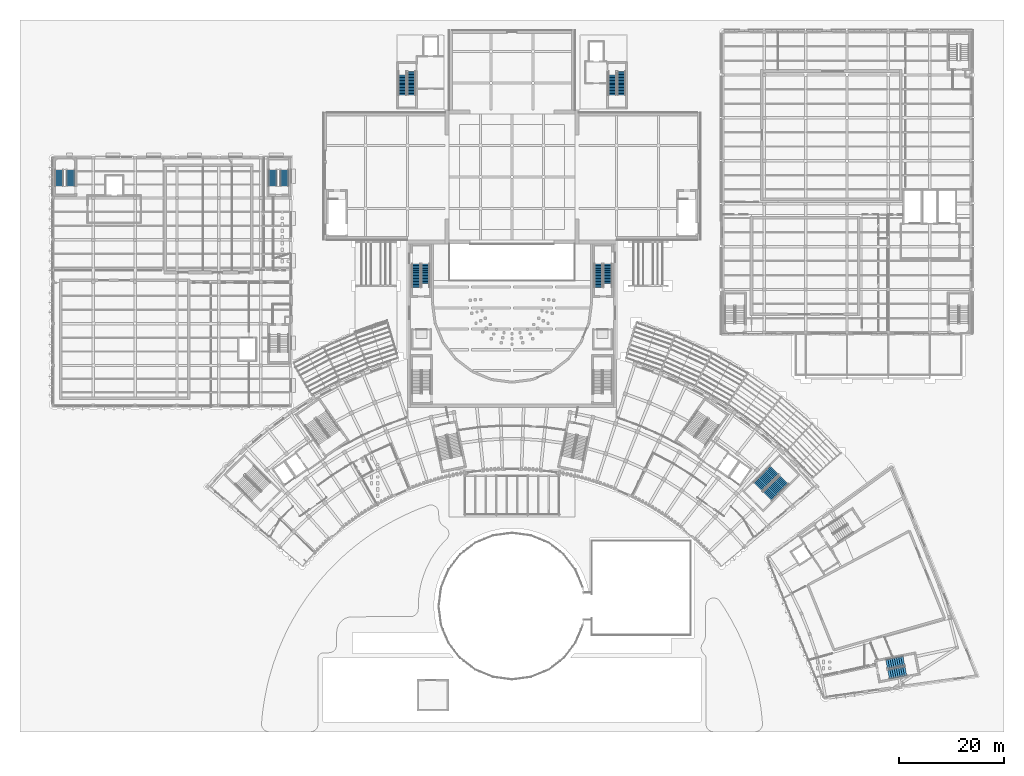
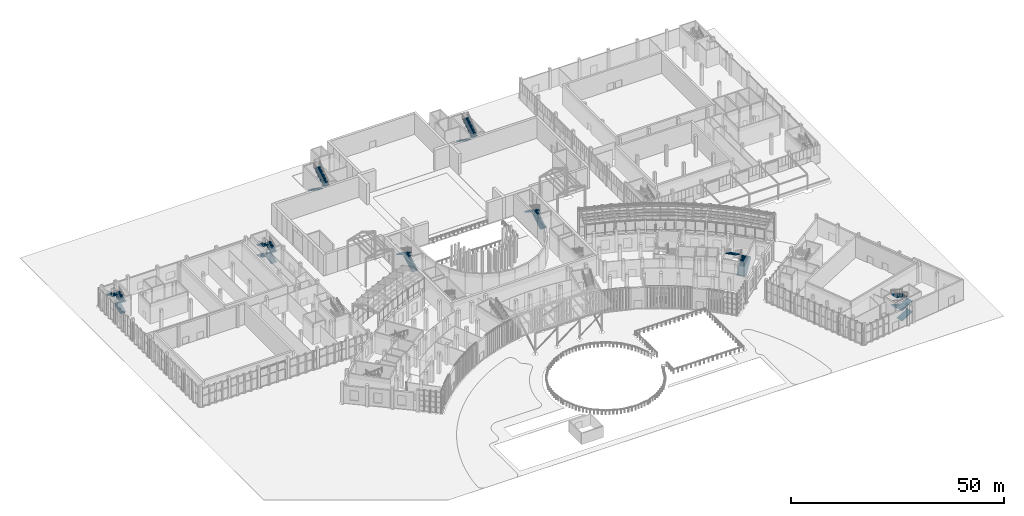
# One storey, part 106 of 155: 21 stair flights, 8 elements without a shape of their own.
"""IFC4 building model written with IfcOpenShell, lengths in metres."""

from ifc_helpers import new_model, si_unit, direction, frame, origin, place, context, subcontext, project, spatial, polyline, outline, extrude, material, type_object, element, aggregate, save


model = new_model("IFC4")

# Units and contexts
model_context = context("Model", 3, precision=1e-05, world=origin(), true_north=direction((0.0, 1.0)))
body_context = subcontext(model_context, "Body", "Model", "MODEL_VIEW")
ifc_project = project(units=[si_unit("LENGTHUNIT", "METRE"), si_unit("AREAUNIT", "SQUARE_METRE"), si_unit("VOLUMEUNIT", "CUBIC_METRE"), si_unit("PLANEANGLEUNIT", "RADIAN"), si_unit("MASSUNIT", "GRAM", prefix="KILO")], contexts=[model_context])

# Site, building, storey
site_placement = place(None, origin())
site = spatial("IfcSite", under=ifc_project, at=site_placement, CompositionType="ELEMENT")
building_placement = place(site_placement, origin())
building = spatial("IfcBuilding", under=site, at=building_placement, Name="Lunette Opera House", CompositionType="ELEMENT")
storey_placement = place(building_placement, origin())
storey = spatial("IfcBuildingStorey", under=building, at=storey_placement, Name="L00", CompositionType="ELEMENT", Elevation=0.0)

# Stair, stair flights
ifc_material_1 = material(Name="Concrete C35/45", Category="concrete")
stair_type_1 = type_object("IfcStairType", Name="DOGLEG STAIR 1550", PredefinedType="HALF_TURN_STAIR", material=ifc_material_1)
stair_1_placement = place(storey_placement, origin())
stair_1 = element("IfcStair", 1, at=stair_1_placement, inside=storey, type_object=stair_type_1, Name="L00 stair ST11", PredefinedType="HALF_TURN_STAIR")
ifc_material_2 = material(Name="Concrete C35/45", Category="concrete")
stair_flight_type_1 = type_object("IfcStairFlightType", Name="STRAIGHT STAIR FLIGHT 1550", PredefinedType="STRAIGHT", material=ifc_material_2)
stair_flight_1_placement = place(storey_placement, frame((75.074951171875, 128.14990234375, 0.0), z_axis=(0.0, 0.0, 1.0), x_axis=(0.0, -1.0, 0.0)))
stair_flight_1 = element("IfcStairFlight", 2, at=stair_flight_1_placement, type_object=stair_flight_type_1, Name="ST11 flight 1", NumberOfRisers=17, NumberOfTreads=16, PredefinedType="STRAIGHT", RiserHeight=0.176470588, TreadLength=0.28, context=body_context, shape_type="SweptSolid", body=[
    extrude(outline(polyline([(0.0, 0.0), (0.0, 0.176513671875), (0.280029296875, 0.176513671875), (0.280029296875, 0.35302734375), (0.56005859375, 0.35302734375), (0.56005859375, 0.529296875), (0.840087890625, 0.529296875), (0.840087890625, 0.705810546875), (1.1201171875, 0.705810546875), (1.1201171875, 0.88232421875), (1.39990234375, 0.88232421875), (1.39990234375, 1.058837890625), (1.679931640625, 1.058837890625), (1.679931640625, 1.2353515625), (1.9599609375, 1.2353515625), (1.9599609375, 1.411865234375), (2.239990234375, 1.411865234375), (2.239990234375, 1.588134765625), (2.52001953125, 1.588134765625), (2.52001953125, 1.7646484375), (2.800048828125, 1.7646484375), (2.800048828125, 1.941162109375), (3.080078125, 1.941162109375), (3.080078125, 2.11767578125), (3.360107421875, 2.11767578125), (3.360107421875, 2.294189453125), (3.639892578125, 2.294189453125), (3.639892578125, 2.470703125), (3.919921875, 2.470703125), (3.919921875, 2.64697265625), (4.199951171875, 2.64697265625), (4.199951171875, 2.823486328125), (4.47998046875, 2.823486328125), (4.47998046875, 3.0), (4.47998046875, 2.646240234375), (0.28125, 0.0), (0.0, 0.0)])), frame((0.0, 0.77490234375, 0.0), z_axis=(0.0, -1.0, 0.0), x_axis=(1.0, 0.0, 0.0)), (0.0, 0.0, 1.0), 1.550048828125),
])
stair_flight_2_placement = place(storey_placement, frame((76.824951171875, 123.669921875, 3.0), z_axis=(0.0, 0.0, 1.0), x_axis=(0.0, 1.0, 0.0)))
stair_flight_2 = element("IfcStairFlight", 3, at=stair_flight_2_placement, type_object=stair_flight_type_1, Name="ST11 flight 2", NumberOfRisers=17, NumberOfTreads=16, PredefinedType="STRAIGHT", RiserHeight=0.176470588, TreadLength=0.28, context=body_context, shape_type="SweptSolid", body=[
    extrude(outline(polyline([(0.0, 0.0), (0.0, 0.176513671875), (0.280029296875, 0.176513671875), (0.280029296875, 0.35302734375), (0.56005859375, 0.35302734375), (0.56005859375, 0.529296875), (0.840087890625, 0.529296875), (0.840087890625, 0.705810546875), (1.1201171875, 0.705810546875), (1.1201171875, 0.88232421875), (1.39990234375, 0.88232421875), (1.39990234375, 1.058837890625), (1.679931640625, 1.058837890625), (1.679931640625, 1.2353515625), (1.9599609375, 1.2353515625), (1.9599609375, 1.411865234375), (2.239990234375, 1.411865234375), (2.239990234375, 1.588134765625), (2.52001953125, 1.588134765625), (2.52001953125, 1.7646484375), (2.800048828125, 1.7646484375), (2.800048828125, 1.941162109375), (3.080078125, 1.941162109375), (3.080078125, 2.11767578125), (3.360107421875, 2.11767578125), (3.360107421875, 2.294189453125), (3.639892578125, 2.294189453125), (3.639892578125, 2.470703125), (3.919921875, 2.470703125), (3.919921875, 2.64697265625), (4.199951171875, 2.64697265625), (4.199951171875, 2.823486328125), (4.47998046875, 2.823486328125), (4.47998046875, 3.0), (4.47998046875, 2.646240234375), (0.28125, 0.0), (0.0, 0.0)])), frame((0.0, 0.77490234375, 0.0), z_axis=(0.0, -1.0, 0.0), x_axis=(1.0, 0.0, 0.0)), (0.0, 0.0, 1.0), 1.550048828125),
])
aggregate(stair_1, [stair_flight_1, stair_flight_2])

stair_2_placement = place(storey_placement, origin())
stair_2 = element("IfcStair", 4, at=stair_2_placement, inside=storey, type_object=stair_type_1, Name="L00 stair ST12", PredefinedType="HALF_TURN_STAIR")
stair_flight_3_placement = place(storey_placement, frame((115.175048828125, 128.14990234375, 0.0), z_axis=(0.0, 0.0, 1.0), x_axis=(0.0, -1.0, 0.0)))
stair_flight_3 = element("IfcStairFlight", 5, at=stair_flight_3_placement, type_object=stair_flight_type_1, Name="ST12 flight 1", NumberOfRisers=17, NumberOfTreads=16, PredefinedType="STRAIGHT", RiserHeight=0.176470588, TreadLength=0.28, context=body_context, shape_type="SweptSolid", body=[
    extrude(outline(polyline([(0.0, 0.0), (0.0, 0.176513671875), (0.280029296875, 0.176513671875), (0.280029296875, 0.35302734375), (0.56005859375, 0.35302734375), (0.56005859375, 0.529296875), (0.840087890625, 0.529296875), (0.840087890625, 0.705810546875), (1.1201171875, 0.705810546875), (1.1201171875, 0.88232421875), (1.39990234375, 0.88232421875), (1.39990234375, 1.058837890625), (1.679931640625, 1.058837890625), (1.679931640625, 1.2353515625), (1.9599609375, 1.2353515625), (1.9599609375, 1.411865234375), (2.239990234375, 1.411865234375), (2.239990234375, 1.588134765625), (2.52001953125, 1.588134765625), (2.52001953125, 1.7646484375), (2.800048828125, 1.7646484375), (2.800048828125, 1.941162109375), (3.080078125, 1.941162109375), (3.080078125, 2.11767578125), (3.360107421875, 2.11767578125), (3.360107421875, 2.294189453125), (3.639892578125, 2.294189453125), (3.639892578125, 2.470703125), (3.919921875, 2.470703125), (3.919921875, 2.64697265625), (4.199951171875, 2.64697265625), (4.199951171875, 2.823486328125), (4.47998046875, 2.823486328125), (4.47998046875, 3.0), (4.47998046875, 2.646240234375), (0.28125, 0.0), (0.0, 0.0)])), frame((0.0, 0.77490234375, 0.0), z_axis=(0.0, -1.0, 0.0), x_axis=(1.0, 0.0, 0.0)), (0.0, 0.0, 1.0), 1.550048828125),
])
stair_flight_4_placement = place(storey_placement, frame((116.925048828125, 123.669921875, 3.0), z_axis=(0.0, 0.0, 1.0), x_axis=(0.0, 1.0, 0.0)))
stair_flight_4 = element("IfcStairFlight", 6, at=stair_flight_4_placement, type_object=stair_flight_type_1, Name="ST12 flight 2", NumberOfRisers=17, NumberOfTreads=16, PredefinedType="STRAIGHT", RiserHeight=0.176470588, TreadLength=0.28, context=body_context, shape_type="SweptSolid", body=[
    extrude(outline(polyline([(0.0, 0.0), (0.0, 0.176513671875), (0.280029296875, 0.176513671875), (0.280029296875, 0.35302734375), (0.56005859375, 0.35302734375), (0.56005859375, 0.529296875), (0.840087890625, 0.529296875), (0.840087890625, 0.705810546875), (1.1201171875, 0.705810546875), (1.1201171875, 0.88232421875), (1.39990234375, 0.88232421875), (1.39990234375, 1.058837890625), (1.679931640625, 1.058837890625), (1.679931640625, 1.2353515625), (1.9599609375, 1.2353515625), (1.9599609375, 1.411865234375), (2.239990234375, 1.411865234375), (2.239990234375, 1.588134765625), (2.52001953125, 1.588134765625), (2.52001953125, 1.7646484375), (2.800048828125, 1.7646484375), (2.800048828125, 1.941162109375), (3.080078125, 1.941162109375), (3.080078125, 2.11767578125), (3.360107421875, 2.11767578125), (3.360107421875, 2.294189453125), (3.639892578125, 2.294189453125), (3.639892578125, 2.470703125), (3.919921875, 2.470703125), (3.919921875, 2.64697265625), (4.199951171875, 2.64697265625), (4.199951171875, 2.823486328125), (4.47998046875, 2.823486328125), (4.47998046875, 3.0), (4.47998046875, 2.646240234375), (0.28125, 0.0), (0.0, 0.0)])), frame((0.0, 0.77490234375, 0.0), z_axis=(0.0, -1.0, 0.0), x_axis=(1.0, 0.0, 0.0)), (0.0, 0.0, 1.0), 1.550048828125),
])
aggregate(stair_2, [stair_flight_3, stair_flight_4])

ifc_material_3 = material(Name="Concrete C35/45", Category="concrete")
stair_type_2 = type_object("IfcStairType", Name="DOGLEG STAIR 1600", PredefinedType="HALF_TURN_STAIR", material=ifc_material_3)
stair_3_placement = place(storey_placement, origin())
stair_3 = element("IfcStair", 7, at=stair_3_placement, inside=storey, type_object=stair_type_2, Name="L00 stair ST15", PredefinedType="HALF_TURN_STAIR")
ifc_material_4 = material(Name="Concrete C35/45", Category="concrete")
stair_flight_type_2 = type_object("IfcStairFlightType", Name="STRAIGHT STAIR FLIGHT 1600", PredefinedType="STRAIGHT", material=ifc_material_4)
stair_flight_5_placement = place(storey_placement, frame((11.699951171875, 106.300048828125, 0.0), z_axis=(0.0, 0.0, 1.0), x_axis=(0.0, 1.0, 0.0)))
stair_flight_5 = element("IfcStairFlight", 8, at=stair_flight_5_placement, type_object=stair_flight_type_2, Name="ST15 flight 1", NumberOfRisers=9, NumberOfTreads=8, PredefinedType="STRAIGHT", RiserHeight=0.166666667, TreadLength=0.38, context=body_context, shape_type="SweptSolid", body=[
    extrude(outline(polyline([(0.0, 0.0), (0.0, 0.166748046875), (0.3798828125, 0.166748046875), (0.3798828125, 0.333251953125), (0.760009765625, 0.333251953125), (0.760009765625, 0.5), (1.139892578125, 0.5), (1.139892578125, 0.666748046875), (1.52001953125, 0.666748046875), (1.52001953125, 0.833251953125), (1.89990234375, 0.833251953125), (1.89990234375, 1.0), (2.280029296875, 1.0), (2.280029296875, 1.166748046875), (2.659912109375, 1.166748046875), (2.659912109375, 1.333251953125), (3.0400390625, 1.333251953125), (3.0400390625, 1.5), (3.0400390625, 1.169677734375), (0.373291015625, 0.0), (0.0, 0.0)])), frame((0.0, 0.800048828125, 0.0), z_axis=(0.0, -1.0, 0.0), x_axis=(1.0, 0.0, 0.0)), (0.0, 0.0, 1.0), 1.60009765625),
])
stair_flight_6_placement = place(storey_placement, frame((11.699951171875, 106.300048828125, 3.0), z_axis=(0.0, 0.0, 1.0), x_axis=(0.0, 1.0, 0.0)))
stair_flight_6 = element("IfcStairFlight", 9, at=stair_flight_6_placement, type_object=stair_flight_type_2, Name="ST15 flight 3", NumberOfRisers=9, NumberOfTreads=8, PredefinedType="STRAIGHT", RiserHeight=0.166666667, TreadLength=0.38, context=body_context, shape_type="SweptSolid", body=[
    extrude(outline(polyline([(0.0, 0.0), (0.0, 0.166748046875), (0.3798828125, 0.166748046875), (0.3798828125, 0.333251953125), (0.760009765625, 0.333251953125), (0.760009765625, 0.5), (1.139892578125, 0.5), (1.139892578125, 0.666748046875), (1.52001953125, 0.666748046875), (1.52001953125, 0.833251953125), (1.89990234375, 0.833251953125), (1.89990234375, 1.0), (2.280029296875, 1.0), (2.280029296875, 1.166748046875), (2.659912109375, 1.166748046875), (2.659912109375, 1.333251953125), (3.0400390625, 1.333251953125), (3.0400390625, 1.5), (3.0400390625, 1.169677734375), (0.373291015625, 0.0), (0.0, 0.0)])), frame((0.0, 0.800048828125, 0.0), z_axis=(0.0, -1.0, 0.0), x_axis=(1.0, 0.0, 0.0)), (0.0, 0.0, 1.0), 1.60009765625),
])
stair_flight_7_placement = place(storey_placement, frame((9.5, 109.340087890625, 4.5), z_axis=(0.0, 0.0, 1.0), x_axis=(0.0, -1.0, 0.0)))
stair_flight_7 = element("IfcStairFlight", 10, at=stair_flight_7_placement, type_object=stair_flight_type_2, Name="ST15 flight 4", NumberOfRisers=9, NumberOfTreads=8, PredefinedType="STRAIGHT", RiserHeight=0.166666667, TreadLength=0.38, context=body_context, shape_type="SweptSolid", body=[
    extrude(outline(polyline([(0.0, 0.0), (0.0, 0.166748046875), (0.3798828125, 0.166748046875), (0.3798828125, 0.333251953125), (0.760009765625, 0.333251953125), (0.760009765625, 0.5), (1.139892578125, 0.5), (1.139892578125, 0.666748046875), (1.52001953125, 0.666748046875), (1.52001953125, 0.833251953125), (1.89990234375, 0.833251953125), (1.89990234375, 1.0), (2.280029296875, 1.0), (2.280029296875, 1.166748046875), (2.659912109375, 1.166748046875), (2.659912109375, 1.333251953125), (3.0400390625, 1.333251953125), (3.0400390625, 1.5), (3.0400390625, 1.169677734375), (0.373291015625, 0.0), (0.0, 0.0)])), frame((0.0, 0.800048828125, 0.0), z_axis=(0.0, -1.0, 0.0), x_axis=(1.0, 0.0, 0.0)), (0.0, 0.0, 1.0), 1.60009765625),
])
aggregate(stair_3, [stair_flight_5, stair_flight_6, stair_flight_7])

stair_4_placement = place(storey_placement, origin())
stair_4 = element("IfcStair", 11, at=stair_4_placement, inside=storey, type_object=stair_type_2, Name="L00 stair ST17", PredefinedType="HALF_TURN_STAIR")
stair_flight_8_placement = place(storey_placement, frame((52.534912109375, 106.300048828125, 0.0), z_axis=(0.0, 0.0, 1.0), x_axis=(0.0, 1.0, 0.0)))
stair_flight_8 = element("IfcStairFlight", 12, at=stair_flight_8_placement, type_object=stair_flight_type_2, Name="ST17 flight 1", NumberOfRisers=9, NumberOfTreads=8, PredefinedType="STRAIGHT", RiserHeight=0.166666667, TreadLength=0.38, context=body_context, shape_type="SweptSolid", body=[
    extrude(outline(polyline([(0.0, 0.0), (0.0, 0.166748046875), (0.3798828125, 0.166748046875), (0.3798828125, 0.333251953125), (0.760009765625, 0.333251953125), (0.760009765625, 0.5), (1.139892578125, 0.5), (1.139892578125, 0.666748046875), (1.52001953125, 0.666748046875), (1.52001953125, 0.833251953125), (1.89990234375, 0.833251953125), (1.89990234375, 1.0), (2.280029296875, 1.0), (2.280029296875, 1.166748046875), (2.659912109375, 1.166748046875), (2.659912109375, 1.333251953125), (3.0400390625, 1.333251953125), (3.0400390625, 1.5), (3.0400390625, 1.169677734375), (0.373291015625, 0.0), (0.0, 0.0)])), frame((0.0, 0.800048828125, 0.0), z_axis=(0.0, -1.0, 0.0), x_axis=(1.0, 0.0, 0.0)), (0.0, 0.0, 1.0), 1.60009765625),
])
stair_flight_9_placement = place(storey_placement, frame((50.300048828125, 109.340087890625, 1.5), z_axis=(0.0, 0.0, 1.0), x_axis=(0.0, -1.0, 0.0)))
stair_flight_9 = element("IfcStairFlight", 13, at=stair_flight_9_placement, type_object=stair_flight_type_2, Name="ST17 flight 2", NumberOfRisers=9, NumberOfTreads=8, PredefinedType="STRAIGHT", RiserHeight=0.166666667, TreadLength=0.38, context=body_context, shape_type="SweptSolid", body=[
    extrude(outline(polyline([(0.0, 0.0), (0.0, 0.166748046875), (0.3798828125, 0.166748046875), (0.3798828125, 0.333251953125), (0.760009765625, 0.333251953125), (0.760009765625, 0.5), (1.139892578125, 0.5), (1.139892578125, 0.666748046875), (1.52001953125, 0.666748046875), (1.52001953125, 0.833251953125), (1.89990234375, 0.833251953125), (1.89990234375, 1.0), (2.280029296875, 1.0), (2.280029296875, 1.166748046875), (2.659912109375, 1.166748046875), (2.659912109375, 1.333251953125), (3.0400390625, 1.333251953125), (3.0400390625, 1.5), (3.0400390625, 1.169677734375), (0.373291015625, 0.0), (0.0, 0.0)])), frame((0.0, 0.800048828125, 0.0), z_axis=(0.0, -1.0, 0.0), x_axis=(1.0, 0.0, 0.0)), (0.0, 0.0, 1.0), 1.60009765625),
])
stair_flight_10_placement = place(storey_placement, frame((52.534912109375, 106.300048828125, 3.0), z_axis=(0.0, 0.0, 1.0), x_axis=(0.0, 1.0, 0.0)))
stair_flight_10 = element("IfcStairFlight", 14, at=stair_flight_10_placement, type_object=stair_flight_type_2, Name="ST17 flight 3", NumberOfRisers=9, NumberOfTreads=8, PredefinedType="STRAIGHT", RiserHeight=0.166666667, TreadLength=0.38, context=body_context, shape_type="SweptSolid", body=[
    extrude(outline(polyline([(0.0, 0.0), (0.0, 0.166748046875), (0.3798828125, 0.166748046875), (0.3798828125, 0.333251953125), (0.760009765625, 0.333251953125), (0.760009765625, 0.5), (1.139892578125, 0.5), (1.139892578125, 0.666748046875), (1.52001953125, 0.666748046875), (1.52001953125, 0.833251953125), (1.89990234375, 0.833251953125), (1.89990234375, 1.0), (2.280029296875, 1.0), (2.280029296875, 1.166748046875), (2.659912109375, 1.166748046875), (2.659912109375, 1.333251953125), (3.0400390625, 1.333251953125), (3.0400390625, 1.5), (3.0400390625, 1.169677734375), (0.373291015625, 0.0), (0.0, 0.0)])), frame((0.0, 0.800048828125, 0.0), z_axis=(0.0, -1.0, 0.0), x_axis=(1.0, 0.0, 0.0)), (0.0, 0.0, 1.0), 1.60009765625),
])
stair_flight_11_placement = place(storey_placement, frame((50.300048828125, 109.340087890625, 4.5), z_axis=(0.0, 0.0, 1.0), x_axis=(0.0, -1.0, 0.0)))
stair_flight_11 = element("IfcStairFlight", 15, at=stair_flight_11_placement, type_object=stair_flight_type_2, Name="ST17 flight 4", NumberOfRisers=9, NumberOfTreads=8, PredefinedType="STRAIGHT", RiserHeight=0.166666667, TreadLength=0.38, context=body_context, shape_type="SweptSolid", body=[
    extrude(outline(polyline([(0.0, 0.0), (0.0, 0.166748046875), (0.3798828125, 0.166748046875), (0.3798828125, 0.333251953125), (0.760009765625, 0.333251953125), (0.760009765625, 0.5), (1.139892578125, 0.5), (1.139892578125, 0.666748046875), (1.52001953125, 0.666748046875), (1.52001953125, 0.833251953125), (1.89990234375, 0.833251953125), (1.89990234375, 1.0), (2.280029296875, 1.0), (2.280029296875, 1.166748046875), (2.659912109375, 1.166748046875), (2.659912109375, 1.333251953125), (3.0400390625, 1.333251953125), (3.0400390625, 1.5), (3.0400390625, 1.169677734375), (0.373291015625, 0.0), (0.0, 0.0)])), frame((0.0, 0.800048828125, 0.0), z_axis=(0.0, -1.0, 0.0), x_axis=(1.0, 0.0, 0.0)), (0.0, 0.0, 1.0), 1.60009765625),
])
aggregate(stair_4, [stair_flight_8, stair_flight_9, stair_flight_10, stair_flight_11])

ifc_material_5 = material(Name="Concrete C35/45", Category="concrete")
stair_type_3 = type_object("IfcStairType", Name="DOGLEG STAIR 1620", PredefinedType="HALF_TURN_STAIR", material=ifc_material_5)
stair_5_placement = place(storey_placement, origin())
stair_5 = element("IfcStair", 16, at=stair_5_placement, inside=storey, type_object=stair_type_3, Name="L00 stair ST10", PredefinedType="HALF_TURN_STAIR")
ifc_material_6 = material(Name="Concrete C35/45", Category="concrete")
stair_flight_type_3 = type_object("IfcStairFlightType", Name="STRAIGHT STAIR FLIGHT 1620", PredefinedType="STRAIGHT", material=ifc_material_6)
stair_flight_12_placement = place(storey_placement, frame((79.489990234375, 86.919921875, 0.0), z_axis=(0.0, 0.0, 1.0), x_axis=(0.0, 1.0, 0.0)))
stair_flight_12 = element("IfcStairFlight", 17, at=stair_flight_12_placement, type_object=stair_flight_type_3, Name="ST10 flight 1", NumberOfRisers=17, NumberOfTreads=16, PredefinedType="STRAIGHT", RiserHeight=0.176470588, TreadLength=0.28, context=body_context, shape_type="SweptSolid", body=[
    extrude(outline(polyline([(0.0, 0.0), (0.0, 0.176513671875), (0.280029296875, 0.176513671875), (0.280029296875, 0.35302734375), (0.56005859375, 0.35302734375), (0.56005859375, 0.529296875), (0.840087890625, 0.529296875), (0.840087890625, 0.705810546875), (1.1201171875, 0.705810546875), (1.1201171875, 0.88232421875), (1.39990234375, 0.88232421875), (1.39990234375, 1.058837890625), (1.679931640625, 1.058837890625), (1.679931640625, 1.2353515625), (1.9599609375, 1.2353515625), (1.9599609375, 1.411865234375), (2.239990234375, 1.411865234375), (2.239990234375, 1.588134765625), (2.52001953125, 1.588134765625), (2.52001953125, 1.7646484375), (2.800048828125, 1.7646484375), (2.800048828125, 1.941162109375), (3.080078125, 1.941162109375), (3.080078125, 2.11767578125), (3.360107421875, 2.11767578125), (3.360107421875, 2.294189453125), (3.639892578125, 2.294189453125), (3.639892578125, 2.470703125), (3.919921875, 2.470703125), (3.919921875, 2.64697265625), (4.199951171875, 2.64697265625), (4.199951171875, 2.823486328125), (4.47998046875, 2.823486328125), (4.47998046875, 3.0), (4.47998046875, 2.646240234375), (0.28125, 0.0), (0.0, 0.0)])), frame((0.0, 0.81005859375, 0.0), z_axis=(0.0, -1.0, 0.0), x_axis=(1.0, 0.0, 0.0)), (0.0, 0.0, 1.0), 1.6201171875),
])
stair_flight_13_placement = place(storey_placement, frame((77.7099609375, 91.39990234375, 3.0), z_axis=(0.0, 0.0, 1.0), x_axis=(0.0, -1.0, 0.0)))
stair_flight_13 = element("IfcStairFlight", 18, at=stair_flight_13_placement, type_object=stair_flight_type_3, Name="ST10 flight 2", NumberOfRisers=17, NumberOfTreads=16, PredefinedType="STRAIGHT", RiserHeight=0.176470588, TreadLength=0.28, context=body_context, shape_type="SweptSolid", body=[
    extrude(outline(polyline([(0.0, 0.0), (0.0, 0.176513671875), (0.280029296875, 0.176513671875), (0.280029296875, 0.35302734375), (0.56005859375, 0.35302734375), (0.56005859375, 0.529296875), (0.840087890625, 0.529296875), (0.840087890625, 0.705810546875), (1.1201171875, 0.705810546875), (1.1201171875, 0.88232421875), (1.39990234375, 0.88232421875), (1.39990234375, 1.058837890625), (1.679931640625, 1.058837890625), (1.679931640625, 1.2353515625), (1.9599609375, 1.2353515625), (1.9599609375, 1.411865234375), (2.239990234375, 1.411865234375), (2.239990234375, 1.588134765625), (2.52001953125, 1.588134765625), (2.52001953125, 1.7646484375), (2.800048828125, 1.7646484375), (2.800048828125, 1.941162109375), (3.080078125, 1.941162109375), (3.080078125, 2.11767578125), (3.360107421875, 2.11767578125), (3.360107421875, 2.294189453125), (3.639892578125, 2.294189453125), (3.639892578125, 2.470703125), (3.919921875, 2.470703125), (3.919921875, 2.64697265625), (4.199951171875, 2.64697265625), (4.199951171875, 2.823486328125), (4.47998046875, 2.823486328125), (4.47998046875, 3.0), (4.47998046875, 2.646240234375), (0.28125, 0.0), (0.0, 0.0)])), frame((0.0, 0.81005859375, 0.0), z_axis=(0.0, -1.0, 0.0), x_axis=(1.0, 0.0, 0.0)), (0.0, 0.0, 1.0), 1.6201171875),
])
aggregate(stair_5, [stair_flight_12, stair_flight_13])

stair_6_placement = place(storey_placement, origin())
stair_6 = element("IfcStair", 19, at=stair_6_placement, inside=storey, type_object=stair_type_3, Name="L00 stair ST9", PredefinedType="HALF_TURN_STAIR")
stair_flight_14_placement = place(storey_placement, frame((114.2900390625, 86.919921875, 0.0), z_axis=(0.0, 0.0, 1.0), x_axis=(0.0, 1.0, 0.0)))
stair_flight_14 = element("IfcStairFlight", 20, at=stair_flight_14_placement, type_object=stair_flight_type_3, Name="ST9 flight 1", NumberOfRisers=17, NumberOfTreads=16, PredefinedType="STRAIGHT", RiserHeight=0.176470588, TreadLength=0.28, context=body_context, shape_type="SweptSolid", body=[
    extrude(outline(polyline([(0.0, 0.0), (0.0, 0.176513671875), (0.280029296875, 0.176513671875), (0.280029296875, 0.35302734375), (0.56005859375, 0.35302734375), (0.56005859375, 0.529296875), (0.840087890625, 0.529296875), (0.840087890625, 0.705810546875), (1.1201171875, 0.705810546875), (1.1201171875, 0.88232421875), (1.39990234375, 0.88232421875), (1.39990234375, 1.058837890625), (1.679931640625, 1.058837890625), (1.679931640625, 1.2353515625), (1.9599609375, 1.2353515625), (1.9599609375, 1.411865234375), (2.239990234375, 1.411865234375), (2.239990234375, 1.588134765625), (2.52001953125, 1.588134765625), (2.52001953125, 1.7646484375), (2.800048828125, 1.7646484375), (2.800048828125, 1.941162109375), (3.080078125, 1.941162109375), (3.080078125, 2.11767578125), (3.360107421875, 2.11767578125), (3.360107421875, 2.294189453125), (3.639892578125, 2.294189453125), (3.639892578125, 2.470703125), (3.919921875, 2.470703125), (3.919921875, 2.64697265625), (4.199951171875, 2.64697265625), (4.199951171875, 2.823486328125), (4.47998046875, 2.823486328125), (4.47998046875, 3.0), (4.47998046875, 2.646240234375), (0.28125, 0.0), (0.0, 0.0)])), frame((0.0, 0.81005859375, 0.0), z_axis=(0.0, -1.0, 0.0), x_axis=(1.0, 0.0, 0.0)), (0.0, 0.0, 1.0), 1.6201171875),
])
stair_flight_15_placement = place(storey_placement, frame((112.510009765625, 91.39990234375, 3.0), z_axis=(0.0, 0.0, 1.0), x_axis=(0.0, -1.0, 0.0)))
stair_flight_15 = element("IfcStairFlight", 21, at=stair_flight_15_placement, type_object=stair_flight_type_3, Name="ST9 flight 2", NumberOfRisers=17, NumberOfTreads=16, PredefinedType="STRAIGHT", RiserHeight=0.176470588, TreadLength=0.28, context=body_context, shape_type="SweptSolid", body=[
    extrude(outline(polyline([(0.0, 0.0), (0.0, 0.176513671875), (0.280029296875, 0.176513671875), (0.280029296875, 0.35302734375), (0.56005859375, 0.35302734375), (0.56005859375, 0.529296875), (0.840087890625, 0.529296875), (0.840087890625, 0.705810546875), (1.1201171875, 0.705810546875), (1.1201171875, 0.88232421875), (1.39990234375, 0.88232421875), (1.39990234375, 1.058837890625), (1.679931640625, 1.058837890625), (1.679931640625, 1.2353515625), (1.9599609375, 1.2353515625), (1.9599609375, 1.411865234375), (2.239990234375, 1.411865234375), (2.239990234375, 1.588134765625), (2.52001953125, 1.588134765625), (2.52001953125, 1.7646484375), (2.800048828125, 1.7646484375), (2.800048828125, 1.941162109375), (3.080078125, 1.941162109375), (3.080078125, 2.11767578125), (3.360107421875, 2.11767578125), (3.360107421875, 2.294189453125), (3.639892578125, 2.294189453125), (3.639892578125, 2.470703125), (3.919921875, 2.470703125), (3.919921875, 2.64697265625), (4.199951171875, 2.64697265625), (4.199951171875, 2.823486328125), (4.47998046875, 2.823486328125), (4.47998046875, 3.0), (4.47998046875, 2.646240234375), (0.28125, 0.0), (0.0, 0.0)])), frame((0.0, 0.81005859375, 0.0), z_axis=(0.0, -1.0, 0.0), x_axis=(1.0, 0.0, 0.0)), (0.0, 0.0, 1.0), 1.6201171875),
])
aggregate(stair_6, [stair_flight_14, stair_flight_15])

ifc_material_7 = material(Name="Concrete C35/45", Category="concrete")
stair_type_4 = type_object("IfcStairType", Name="DOGLEG STAIR 1800", PredefinedType="HALF_TURN_STAIR", material=ifc_material_7)
stair_7_placement = place(storey_placement, origin())
stair_7 = element("IfcStair", 22, at=stair_7_placement, inside=storey, type_object=stair_type_4, Name="L00 stair ST22", PredefinedType="HALF_TURN_STAIR")
ifc_material_8 = material(Name="Concrete C35/45", Category="concrete")
stair_flight_type_4 = type_object("IfcStairFlightType", Name="STRAIGHT STAIR FLIGHT 1800", PredefinedType="STRAIGHT", material=ifc_material_8)
stair_flight_16_placement = place(storey_placement, frame((167.947509765625, 12.966552734375, 0.0), z_axis=(0.0, 0.0, 1.0), x_axis=(0.981638151653, 0.19075256019, 0.0)))
stair_flight_16 = element("IfcStairFlight", 23, at=stair_flight_16_placement, type_object=stair_flight_type_4, Name="ST22 flight 1", NumberOfRisers=9, NumberOfTreads=8, PredefinedType="STRAIGHT", RiserHeight=0.166666667, TreadLength=0.42, context=body_context, shape_type="SweptSolid", body=[
    extrude(outline(polyline([(0.0, 0.0), (0.0, 0.166748046875), (0.419921875, 0.166748046875), (0.419921875, 0.333251953125), (0.840087890625, 0.333251953125), (0.840087890625, 0.5), (1.260009765625, 0.5), (1.260009765625, 0.666748046875), (1.679931640625, 0.666748046875), (1.679931640625, 0.833251953125), (2.10009765625, 0.833251953125), (2.10009765625, 1.0), (2.52001953125, 1.0), (2.52001953125, 1.166748046875), (2.93994140625, 1.166748046875), (2.93994140625, 1.333251953125), (3.360107421875, 1.333251953125), (3.360107421875, 1.5), (3.360107421875, 1.172119140625), (0.406494140625, 0.0), (0.0, 0.0)])), frame((0.0, 0.89990234375, 0.0), z_axis=(0.0, -1.0, 0.0), x_axis=(1.0, 0.0, 0.0)), (0.0, 0.0, 1.0), 1.800048828125),
])
stair_flight_17_placement = place(storey_placement, frame((170.864501953125, 15.570556640625, 1.5), z_axis=(0.0, 0.0, 1.0), x_axis=(-0.981638151653, -0.19075256019, 0.0)))
stair_flight_17 = element("IfcStairFlight", 24, at=stair_flight_17_placement, type_object=stair_flight_type_4, Name="ST22 flight 2", NumberOfRisers=9, NumberOfTreads=8, PredefinedType="STRAIGHT", RiserHeight=0.166666667, TreadLength=0.42, context=body_context, shape_type="SweptSolid", body=[
    extrude(outline(polyline([(0.0, 0.0), (0.0, 0.166748046875), (0.419921875, 0.166748046875), (0.419921875, 0.333251953125), (0.840087890625, 0.333251953125), (0.840087890625, 0.5), (1.260009765625, 0.5), (1.260009765625, 0.666748046875), (1.679931640625, 0.666748046875), (1.679931640625, 0.833251953125), (2.10009765625, 0.833251953125), (2.10009765625, 1.0), (2.52001953125, 1.0), (2.52001953125, 1.166748046875), (2.93994140625, 1.166748046875), (2.93994140625, 1.333251953125), (3.360107421875, 1.333251953125), (3.360107421875, 1.5), (3.360107421875, 1.172119140625), (0.406494140625, 0.0), (0.0, 0.0)])), frame((0.0, 0.89990234375, 0.0), z_axis=(0.0, -1.0, 0.0), x_axis=(1.0, 0.0, 0.0)), (0.0, 0.0, 1.0), 1.800048828125),
])
stair_flight_18_placement = place(storey_placement, frame((167.947509765625, 12.966552734375, 3.0), z_axis=(0.0, 0.0, 1.0), x_axis=(0.981638151653, 0.19075256019, 0.0)))
stair_flight_18 = element("IfcStairFlight", 25, at=stair_flight_18_placement, type_object=stair_flight_type_4, Name="ST22 flight 3", NumberOfRisers=9, NumberOfTreads=8, PredefinedType="STRAIGHT", RiserHeight=0.166666667, TreadLength=0.42, context=body_context, shape_type="SweptSolid", body=[
    extrude(outline(polyline([(0.0, 0.0), (0.0, 0.166748046875), (0.419921875, 0.166748046875), (0.419921875, 0.333251953125), (0.840087890625, 0.333251953125), (0.840087890625, 0.5), (1.260009765625, 0.5), (1.260009765625, 0.666748046875), (1.679931640625, 0.666748046875), (1.679931640625, 0.833251953125), (2.10009765625, 0.833251953125), (2.10009765625, 1.0), (2.52001953125, 1.0), (2.52001953125, 1.166748046875), (2.93994140625, 1.166748046875), (2.93994140625, 1.333251953125), (3.360107421875, 1.333251953125), (3.360107421875, 1.5), (3.360107421875, 1.172119140625), (0.406494140625, 0.0), (0.0, 0.0)])), frame((0.0, 0.89990234375, 0.0), z_axis=(0.0, -1.0, 0.0), x_axis=(1.0, 0.0, 0.0)), (0.0, 0.0, 1.0), 1.800048828125),
])
stair_flight_19_placement = place(storey_placement, frame((170.864501953125, 15.570556640625, 4.5), z_axis=(0.0, 0.0, 1.0), x_axis=(-0.981638151653, -0.19075256019, 0.0)))
stair_flight_19 = element("IfcStairFlight", 26, at=stair_flight_19_placement, type_object=stair_flight_type_4, Name="ST22 flight 4", NumberOfRisers=9, NumberOfTreads=8, PredefinedType="STRAIGHT", RiserHeight=0.166666667, TreadLength=0.42, context=body_context, shape_type="SweptSolid", body=[
    extrude(outline(polyline([(0.0, 0.0), (0.0, 0.166748046875), (0.419921875, 0.166748046875), (0.419921875, 0.333251953125), (0.840087890625, 0.333251953125), (0.840087890625, 0.5), (1.260009765625, 0.5), (1.260009765625, 0.666748046875), (1.679931640625, 0.666748046875), (1.679931640625, 0.833251953125), (2.10009765625, 0.833251953125), (2.10009765625, 1.0), (2.52001953125, 1.0), (2.52001953125, 1.166748046875), (2.93994140625, 1.166748046875), (2.93994140625, 1.333251953125), (3.360107421875, 1.333251953125), (3.360107421875, 1.5), (3.360107421875, 1.172119140625), (0.406494140625, 0.0), (0.0, 0.0)])), frame((0.0, 0.89990234375, 0.0), z_axis=(0.0, -1.0, 0.0), x_axis=(1.0, 0.0, 0.0)), (0.0, 0.0, 1.0), 1.800048828125),
])
aggregate(stair_7, [stair_flight_16, stair_flight_17, stair_flight_18, stair_flight_19])

ifc_material_9 = material(Name="Concrete C35/45", Category="concrete")
stair_type_5 = type_object("IfcStairType", Name="DOGLEG STAIR 2400", PredefinedType="HALF_TURN_STAIR", material=ifc_material_9)
stair_8_placement = place(storey_placement, origin())
stair_8 = element("IfcStair", 27, at=stair_8_placement, inside=storey, type_object=stair_type_5, Name="L00 stair ST4", PredefinedType="HALF_TURN_STAIR")
ifc_material_10 = material(Name="Concrete C35/45", Category="concrete")
stair_flight_type_5 = type_object("IfcStairFlightType", Name="STRAIGHT STAIR FLIGHT 2400", PredefinedType="STRAIGHT", material=ifc_material_10)
stair_flight_20_placement = place(storey_placement, frame((144.825439453125, 46.98681640625, 0.0), z_axis=(0.0, 0.0, 1.0), x_axis=(0.707106781187, 0.707106781187, 0.0)))
stair_flight_20 = element("IfcStairFlight", 28, at=stair_flight_20_placement, type_object=stair_flight_type_5, Name="ST4 flight 1", NumberOfRisers=17, NumberOfTreads=16, PredefinedType="STRAIGHT", RiserHeight=0.176470588, TreadLength=0.28, context=body_context, shape_type="SweptSolid", body=[
    extrude(outline(polyline([(0.0, 0.0), (0.0, 0.176513671875), (0.280029296875, 0.176513671875), (0.280029296875, 0.35302734375), (0.56005859375, 0.35302734375), (0.56005859375, 0.529296875), (0.840087890625, 0.529296875), (0.840087890625, 0.705810546875), (1.1201171875, 0.705810546875), (1.1201171875, 0.88232421875), (1.39990234375, 0.88232421875), (1.39990234375, 1.058837890625), (1.679931640625, 1.058837890625), (1.679931640625, 1.2353515625), (1.9599609375, 1.2353515625), (1.9599609375, 1.411865234375), (2.239990234375, 1.411865234375), (2.239990234375, 1.588134765625), (2.52001953125, 1.588134765625), (2.52001953125, 1.7646484375), (2.800048828125, 1.7646484375), (2.800048828125, 1.941162109375), (3.080078125, 1.941162109375), (3.080078125, 2.11767578125), (3.360107421875, 2.11767578125), (3.360107421875, 2.294189453125), (3.639892578125, 2.294189453125), (3.639892578125, 2.470703125), (3.919921875, 2.470703125), (3.919921875, 2.64697265625), (4.199951171875, 2.64697265625), (4.199951171875, 2.823486328125), (4.47998046875, 2.823486328125), (4.47998046875, 3.0), (4.47998046875, 2.646240234375), (0.28125, 0.0), (0.0, 0.0)])), frame((0.0, 1.199951171875, 0.0), z_axis=(0.0, -1.0, 0.0), x_axis=(1.0, 0.0, 0.0)), (0.0, 0.0, 1.0), 2.39990234375),
])
stair_flight_21_placement = place(storey_placement, frame((146.15478515625, 51.993408203125, 3.0), z_axis=(0.0, 0.0, 1.0), x_axis=(-0.707106781187, -0.707106781187, 0.0)))
stair_flight_21 = element("IfcStairFlight", 29, at=stair_flight_21_placement, type_object=stair_flight_type_5, Name="ST4 flight 2", NumberOfRisers=17, NumberOfTreads=16, PredefinedType="STRAIGHT", RiserHeight=0.176470588, TreadLength=0.28, context=body_context, shape_type="SweptSolid", body=[
    extrude(outline(polyline([(0.0, 0.0), (0.0, 0.176513671875), (0.280029296875, 0.176513671875), (0.280029296875, 0.35302734375), (0.56005859375, 0.35302734375), (0.56005859375, 0.529296875), (0.840087890625, 0.529296875), (0.840087890625, 0.705810546875), (1.1201171875, 0.705810546875), (1.1201171875, 0.88232421875), (1.39990234375, 0.88232421875), (1.39990234375, 1.058837890625), (1.679931640625, 1.058837890625), (1.679931640625, 1.2353515625), (1.9599609375, 1.2353515625), (1.9599609375, 1.411865234375), (2.239990234375, 1.411865234375), (2.239990234375, 1.588134765625), (2.52001953125, 1.588134765625), (2.52001953125, 1.7646484375), (2.800048828125, 1.7646484375), (2.800048828125, 1.941162109375), (3.080078125, 1.941162109375), (3.080078125, 2.11767578125), (3.360107421875, 2.11767578125), (3.360107421875, 2.294189453125), (3.639892578125, 2.294189453125), (3.639892578125, 2.470703125), (3.919921875, 2.470703125), (3.919921875, 2.64697265625), (4.199951171875, 2.64697265625), (4.199951171875, 2.823486328125), (4.47998046875, 2.823486328125), (4.47998046875, 3.0), (4.47998046875, 2.646240234375), (0.28125, 0.0), (0.0, 0.0)])), frame((0.0, 1.199951171875, 0.0), z_axis=(0.0, -1.0, 0.0), x_axis=(1.0, 0.0, 0.0)), (0.0, 0.0, 1.0), 2.39990234375),
])
aggregate(stair_8, [stair_flight_20, stair_flight_21])

save(model, "model.ifc")
